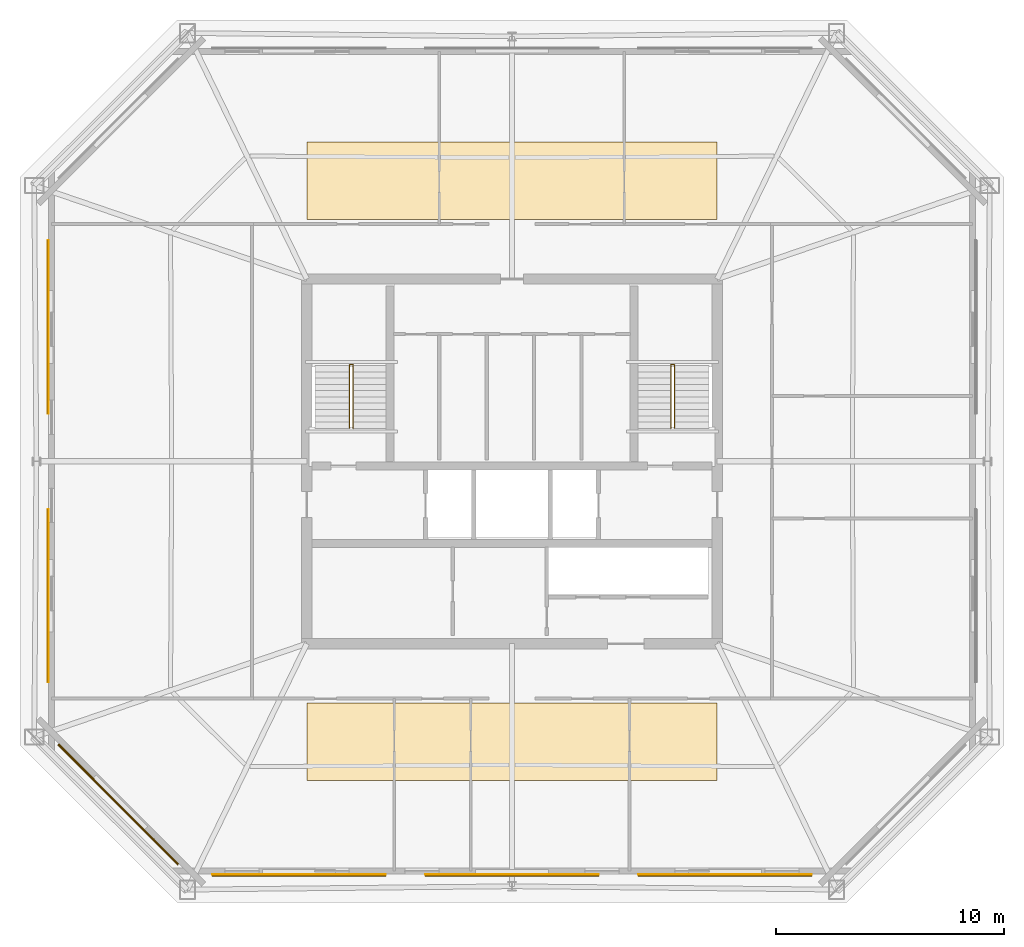
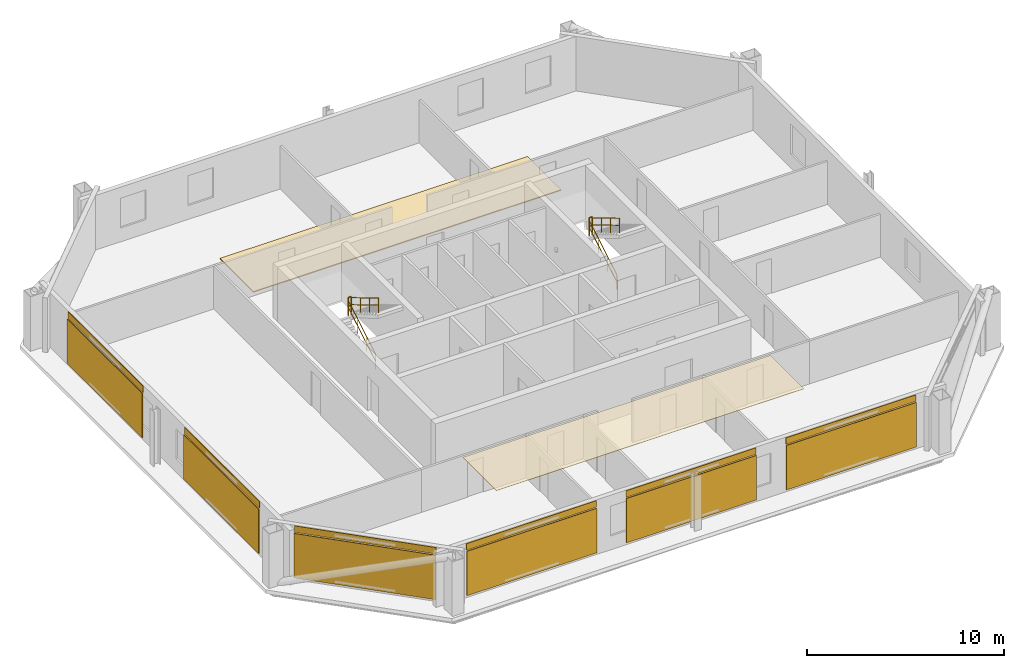
# One storey, part 6 of 7: 8 coverings, 6 railings, 6 shading devices.
"""IFC4 building model written with IfcOpenShell, lengths in metres."""

from ifc_helpers import new_model, si_unit, direction, frame, origin, origin_2d, place, context, subcontext, project, spatial, polyline, rectangle, circle, outline, extrude, material, layer, layer_set, type_object, element, save


model = new_model("IFC4")

# Units and contexts
model_context = context("Model", 3, precision=1e-05, world=origin(), true_north=direction((0.0, 1.0)))
body_context = subcontext(model_context, "Body", "Model", "MODEL_VIEW")
ifc_project = project(units=[si_unit("LENGTHUNIT", "METRE"), si_unit("AREAUNIT", "SQUARE_METRE"), si_unit("VOLUMEUNIT", "CUBIC_METRE"), si_unit("PLANEANGLEUNIT", "RADIAN"), si_unit("MASSUNIT", "GRAM", prefix="KILO")], contexts=[model_context])

# Site, building, storey
site_placement = place(None, origin())
site = spatial("IfcSite", under=ifc_project, at=site_placement, CompositionType="ELEMENT")
building_placement = place(site_placement, origin())
building = spatial("IfcBuilding", under=site, at=building_placement, Name="Caelvoria Tower", CompositionType="ELEMENT")
storey_placement = place(building_placement, frame((0.0, 0.0, 213.0)))
storey = spatial("IfcBuildingStorey", under=building, at=storey_placement, Name="L56", CompositionType="ELEMENT", Elevation=213.0)

# Coverings
ifc_material_1 = material(Name="Acoustic Mineral Fibre Tile", Category="gypsum")
ifc_layer_1 = layer(ifc_material_1, 0.02490234375, Name="Acoustic Mineral Fibre Tile")
ifc_layer_set_1 = layer_set([ifc_layer_1], Name="Mineral-Fibre Acoustic Suspended Ceiling 25 - Acoustic Mineral Fibre Tile")
covering_type_1 = type_object("IfcCoveringType", Name="Mineral-Fibre Acoustic Suspended Ceiling 25", PredefinedType="CEILING", material=ifc_layer_set_1)
covering_1_placement = place(storey_placement, frame((0.0, 0.0, 2.64990234375)))
element("IfcCovering", 1, at=covering_1_placement, inside=storey, type_object=covering_type_1, Name="Suspended Acoustic Ceiling L56", PredefinedType="CEILING", context=body_context, shape_type="SweptSolid", body=[
    extrude(outline(polyline([(37.0, 18.0), (55.0, 18.0), (55.0, 21.39990234375), (37.0, 21.39990234375), (37.0, 18.0)])), origin(), (0.0, 0.0, 1.0), 0.025146484375),
])
ifc_material_2 = material(Name="Perforated Architectural Bronze Cladding Screen", Category="bronze")
ifc_layer_2 = layer(ifc_material_2, 0.0400390625, Name="Perforated Architectural Bronze Cladding Screen")
ifc_layer_set_2 = layer_set([ifc_layer_2], Name="Perforated Bronze Louvre Cladding Band 40 - Perforated Architectural Bronze Cladding Screen")
covering_type_2 = type_object("IfcCoveringType", Name="Perforated Bronze Louvre Cladding Band 40", PredefinedType="CLADDING", material=ifc_layer_set_2)
for number, where, z_axis, x_axis, name in (
    (2, (36.655029296875, 13.871826171875, 2.955078125), (0.0, 0.0, 1.0), (1.0, 0.0, 0.0), "Perforated Bronze Screen Band L56-E0-00"),
    (3, (46.0, 13.871826171875, 2.955078125), (0.0, 0.0, 1.0), (1.0, 0.0, 0.0), "Perforated Bronze Screen Band L56-E0-01"),
    (4, (55.344970703125, 13.871826171875, 2.955078125), (0.0, 0.0, 1.0), (1.0, 0.0, 0.0), "Perforated Bronze Screen Band L56-E0-02"),
    (5, (25.649169921875, 37.897216796875, 2.955078125), (0.0, 0.0, 1.0), (0.0, -1.0, 0.0), "Perforated Bronze Screen Band L56-E6-00"),
    (6, (25.649169921875, 26.102783203125, 2.955078125), (0.0, 0.0, 1.0), (0.0, -1.0, 0.0), "Perforated Bronze Screen Band L56-E6-01"),
):
    element("IfcCovering", number, at=place(storey_placement, frame(where, z_axis=z_axis, x_axis=x_axis)), inside=storey, type_object=covering_type_2, Name=name, PredefinedType="CLADDING", context=body_context, shape_type="SweptSolid", body=[
        extrude(rectangle(XDim=7.60009765625, YDim=0.0400390625, at=origin_2d()), origin(), (0.0, 0.0, 1.0), 0.39990234375),
    ])
covering_2_placement = place(storey_placement, frame((28.74169921875, 16.964599609375, 2.955078125), z_axis=(0.0, 0.0, 1.0), x_axis=(0.707106781187, -0.707106781187, 0.0)))
element("IfcCovering", 7, at=covering_2_placement, inside=storey, type_object=covering_type_2, Name="Perforated Bronze Screen Band L56-E7-00", PredefinedType="CLADDING", context=body_context, shape_type="SweptSolid", body=[
    extrude(rectangle(XDim=7.436767578125, YDim=0.0400390625, at=origin_2d()), origin(), (0.0, 0.0, 1.0), 0.39990234375),
])

# Shading devices
ifc_material_3 = material(Name="Perforated Architectural Bronze Alloy Panel", Category="bronze")
ifc_layer_3 = layer(ifc_material_3, 0.044921875, Name="Perforated Architectural Bronze Alloy Panel")
ifc_layer_set_3 = layer_set([ifc_layer_3], Name="Perforated Bronze Solar Screen Panel SCREEN - Perforated Architectural Bronze Alloy Panel")
shading_device_type = type_object("IfcShadingDeviceType", Name="Perforated Bronze Solar Screen Panel SCREEN", PredefinedType="USERDEFINED", material=ifc_layer_set_3)
for number, where, z_axis, x_axis, name in (
    (8, (36.655029296875, 13.828857421875, 0.159912109375), (0.0, 0.0, 1.0), (1.0, 0.0, 0.0), "Perforated Bronze Solar Screen L56-E0-00"),
    (9, (46.0, 13.828857421875, 0.159912109375), (0.0, 0.0, 1.0), (1.0, 0.0, 0.0), "Perforated Bronze Solar Screen L56-E0-01"),
    (10, (55.344970703125, 13.828857421875, 0.159912109375), (0.0, 0.0, 1.0), (1.0, 0.0, 0.0), "Perforated Bronze Solar Screen L56-E0-02"),
    (11, (25.606201171875, 37.897216796875, 0.159912109375), (0.0, 0.0, 1.0), (0.0, -1.0, 0.0), "Perforated Bronze Solar Screen L56-E6-00"),
    (12, (25.606201171875, 26.102783203125, 0.159912109375), (0.0, 0.0, 1.0), (0.0, -1.0, 0.0), "Perforated Bronze Solar Screen L56-E6-01"),
):
    element("IfcShadingDevice", number, at=place(storey_placement, frame(where, z_axis=z_axis, x_axis=x_axis)), inside=storey, type_object=shading_device_type, Name=name, ObjectType="SCREEN", PredefinedType="USERDEFINED", context=body_context, shape_type="SweptSolid", body=[
        extrude(rectangle(XDim=7.60009765625, YDim=0.044921875, at=origin_2d()), origin(), (0.0, 0.0, 1.0), 2.75),
    ])
shading_device_placement = place(storey_placement, frame((28.71142578125, 16.93408203125, 0.159912109375), z_axis=(0.0, 0.0, 1.0), x_axis=(0.707106781187, -0.707106781187, 0.0)))
element("IfcShadingDevice", 13, at=shading_device_placement, inside=storey, type_object=shading_device_type, Name="Perforated Bronze Solar Screen L56-E7-00", ObjectType="SCREEN", PredefinedType="USERDEFINED", context=body_context, shape_type="SweptSolid", body=[
    extrude(rectangle(XDim=7.436767578125, YDim=0.044921875, at=origin_2d()), origin(), (0.0, 0.0, 1.0), 2.75),
])

# Covering
ifc_material_4 = material(Name="Calcium-Sulphate Raised Floor Tile", Category="gypsum")
ifc_layer_4 = layer(ifc_material_4, 0.06005859375, Name="Calcium-Sulphate Raised Floor Tile")
ifc_layer_set_4 = layer_set([ifc_layer_4], Name="Raised Access Office Floor System 120 - Calcium-Sulphate Raised Floor Tile")
covering_type_3 = type_object("IfcCoveringType", Name="Raised Access Office Floor System 120", PredefinedType="FLOORING", material=ifc_layer_set_4)
covering_3_placement = place(storey_placement, origin())
element("IfcCovering", 14, at=covering_3_placement, inside=storey, type_object=covering_type_3, Name="Raised Access Flooring L56", PredefinedType="FLOORING", context=body_context, shape_type="SweptSolid", body=[
    extrude(outline(polyline([(37.0, 42.60009765625), (55.0, 42.60009765625), (55.0, 46.0), (37.0, 46.0), (37.0, 42.60009765625)])), origin(), (0.0, 0.0, 1.0), 0.06005859375),
])

# Railings
ifc_material_5 = material(Name="Brushed Stainless Steel Tube", Category="steel")
railing_type_1 = type_object("IfcRailingType", Name="Stair Tubular Stainless Handrail 920", PredefinedType="HANDRAIL", material=ifc_material_5)
railing_1_placement = place(storey_placement, frame((38.8701171875, 33.449951171875, 0.16357421875)))
element("IfcRailing", 15, at=railing_1_placement, inside=storey, type_object=railing_type_1, Name="ST-01 Flight 1 Handrail L56", PredefinedType="HANDRAIL", context=body_context, shape_type="SweptSolid", body=[
    extrude(circle(Radius=0.02392578125, at=origin_2d()), frame((0.0, 0.0, 0.89599609375), z_axis=(0.0, 0.859351957796, 0.511384603436), x_axis=(-1.0, 0.0, 0.0)), (0.0, 0.0, 1.0), 3.2001953125),
    extrude(circle(Radius=0.02392578125, at=origin_2d()), frame((0.0, 0.0, 0.4599609375), z_axis=(0.0, 0.859351957796, 0.511384603436), x_axis=(-1.0, 0.0, 0.0)), (0.0, 0.0, 1.0), 3.2001953125),
    extrude(circle(Radius=0.02099609375, at=origin_2d()), origin(), (0.0, 0.0, 1.0), 0.871826171875),
    extrude(circle(Radius=0.02099609375, at=origin_2d()), frame((0.0, 0.916748046875, 0.54541015625)), (0.0, 0.0, 1.0), 0.871826171875),
    extrude(circle(Radius=0.02099609375, at=origin_2d()), frame((0.0, 1.833251953125, 1.091064453125)), (0.0, 0.0, 1.0), 0.871826171875),
    extrude(circle(Radius=0.02099609375, at=origin_2d()), frame((0.0, 2.75, 1.636474609375)), (0.0, 0.0, 1.0), 0.871826171875),
])
railing_2_placement = place(storey_placement, frame((39.030029296875, 36.199951171875, 1.963623046875)))
element("IfcRailing", 16, at=railing_2_placement, inside=storey, type_object=railing_type_1, Name="ST-01 Flight 2 Handrail L56", PredefinedType="HANDRAIL", context=body_context, shape_type="SweptSolid", body=[
    extrude(circle(Radius=0.02392578125, at=origin_2d()), frame((0.0, 0.0, 0.89599609375), z_axis=(0.0, -0.859351957796, 0.511384603436), x_axis=(1.0, 0.0, 0.0)), (0.0, 0.0, 1.0), 3.2001953125),
    extrude(circle(Radius=0.02392578125, at=origin_2d()), frame((0.0, 0.0, 0.4599609375), z_axis=(0.0, -0.859351957796, 0.511384603436), x_axis=(1.0, 0.0, 0.0)), (0.0, 0.0, 1.0), 3.2001953125),
    extrude(circle(Radius=0.02099609375, at=origin_2d()), origin(), (0.0, 0.0, 1.0), 0.871826171875),
    extrude(circle(Radius=0.02099609375, at=origin_2d()), frame((0.0, -0.916748046875, 0.54541015625)), (0.0, 0.0, 1.0), 0.871826171875),
    extrude(circle(Radius=0.02099609375, at=origin_2d()), frame((0.0, -1.833251953125, 1.091064453125)), (0.0, 0.0, 1.0), 0.871826171875),
    extrude(circle(Radius=0.02099609375, at=origin_2d()), frame((0.0, -2.75, 1.636474609375)), (0.0, 0.0, 1.0), 0.871826171875),
])
railing_3_placement = place(storey_placement, frame((52.969970703125, 33.449951171875, 0.16357421875)))
element("IfcRailing", 17, at=railing_3_placement, inside=storey, type_object=railing_type_1, Name="ST-02 Flight 1 Handrail L56", PredefinedType="HANDRAIL", context=body_context, shape_type="SweptSolid", body=[
    extrude(circle(Radius=0.02392578125, at=origin_2d()), frame((0.0, 0.0, 0.89599609375), z_axis=(0.0, 0.859351957796, 0.511384603436), x_axis=(-1.0, 0.0, 0.0)), (0.0, 0.0, 1.0), 3.2001953125),
    extrude(circle(Radius=0.02392578125, at=origin_2d()), frame((0.0, 0.0, 0.4599609375), z_axis=(0.0, 0.859351957796, 0.511384603436), x_axis=(-1.0, 0.0, 0.0)), (0.0, 0.0, 1.0), 3.2001953125),
    extrude(circle(Radius=0.02099609375, at=origin_2d()), origin(), (0.0, 0.0, 1.0), 0.871826171875),
    extrude(circle(Radius=0.02099609375, at=origin_2d()), frame((0.0, 0.916748046875, 0.54541015625)), (0.0, 0.0, 1.0), 0.871826171875),
    extrude(circle(Radius=0.02099609375, at=origin_2d()), frame((0.0, 1.833251953125, 1.091064453125)), (0.0, 0.0, 1.0), 0.871826171875),
    extrude(circle(Radius=0.02099609375, at=origin_2d()), frame((0.0, 2.75, 1.636474609375)), (0.0, 0.0, 1.0), 0.871826171875),
])
railing_4_placement = place(storey_placement, frame((53.1298828125, 36.199951171875, 1.963623046875)))
element("IfcRailing", 18, at=railing_4_placement, inside=storey, type_object=railing_type_1, Name="ST-02 Flight 2 Handrail L56", PredefinedType="HANDRAIL", context=body_context, shape_type="SweptSolid", body=[
    extrude(circle(Radius=0.02392578125, at=origin_2d()), frame((0.0, 0.0, 0.89599609375), z_axis=(0.0, -0.859351957796, 0.511384603436), x_axis=(1.0, 0.0, 0.0)), (0.0, 0.0, 1.0), 3.2001953125),
    extrude(circle(Radius=0.02392578125, at=origin_2d()), frame((0.0, 0.0, 0.4599609375), z_axis=(0.0, -0.859351957796, 0.511384603436), x_axis=(1.0, 0.0, 0.0)), (0.0, 0.0, 1.0), 3.2001953125),
    extrude(circle(Radius=0.02099609375, at=origin_2d()), origin(), (0.0, 0.0, 1.0), 0.871826171875),
    extrude(circle(Radius=0.02099609375, at=origin_2d()), frame((0.0, -0.916748046875, 0.54541015625)), (0.0, 0.0, 1.0), 0.871826171875),
    extrude(circle(Radius=0.02099609375, at=origin_2d()), frame((0.0, -1.833251953125, 1.091064453125)), (0.0, 0.0, 1.0), 0.871826171875),
    extrude(circle(Radius=0.02099609375, at=origin_2d()), frame((0.0, -2.75, 1.636474609375)), (0.0, 0.0, 1.0), 0.871826171875),
])
ifc_material_6 = material(Name="Brushed Stainless Steel Guardrail", Category="steel")
railing_type_2 = type_object("IfcRailingType", Name="Stair Well and Ramp Guardrail 1120", PredefinedType="GUARDRAIL", material=ifc_material_6)
for number, where, name in (
    (19, (38.8701171875, 36.239990234375, 1.800048828125), "ST-01 Half-Landing Well Guard L56"),
    (20, (52.969970703125, 36.239990234375, 1.800048828125), "ST-02 Half-Landing Well Guard L56"),
):
    element("IfcRailing", number, at=place(storey_placement, frame(where)), inside=storey, type_object=railing_type_2, Name=name, PredefinedType="GUARDRAIL", context=body_context, shape_type="SweptSolid", body=[
        extrude(circle(Radius=0.02392578125, at=origin_2d()), frame((0.0, 0.0, 1.09619140625), z_axis=(1.0, 0.0, 0.0), x_axis=(0.0, 1.0, 0.0)), (0.0, 0.0, 1.0), 0.159912109375),
        extrude(circle(Radius=0.02392578125, at=origin_2d()), frame((0.0, 0.0, 0.56005859375), z_axis=(1.0, 0.0, 0.0), x_axis=(0.0, 1.0, 0.0)), (0.0, 0.0, 1.0), 0.159912109375),
        extrude(circle(Radius=0.02099609375, at=origin_2d()), origin(), (0.0, 0.0, 1.0), 1.072021484375),
        extrude(circle(Radius=0.02099609375, at=origin_2d()), frame((0.159912109375, 0.0, 0.0)), (0.0, 0.0, 1.0), 1.072021484375),
    ])

save(model, "model.ifc")
